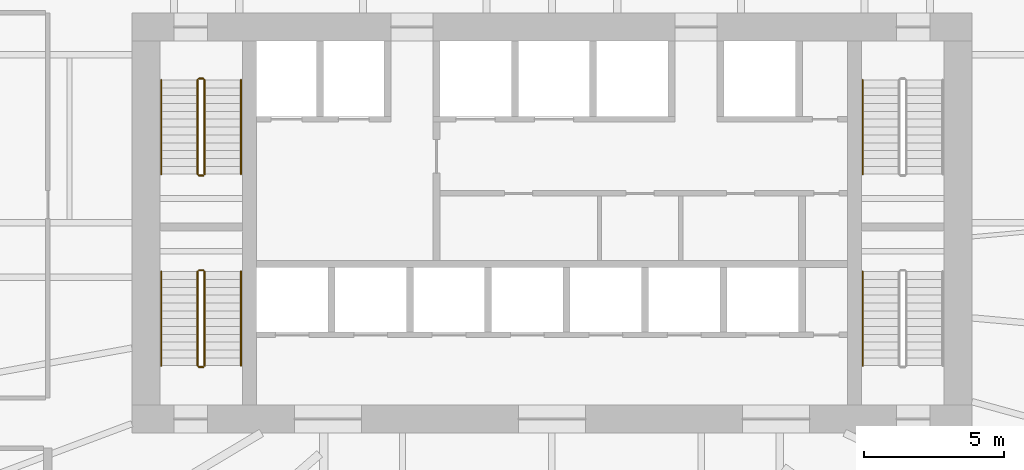
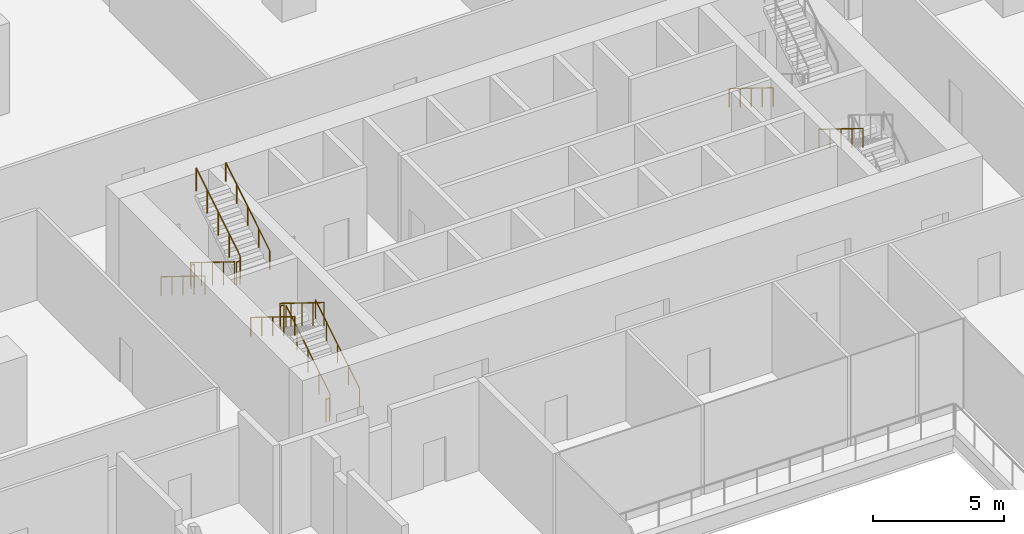
# One storey, part 30 of 33: 14 railings.
"""IFC4 building model written with IfcOpenShell, lengths in metres."""

from ifc_helpers import new_model, si_unit, direction, frame, origin, origin_2d, place, context, subcontext, project, spatial, circle, extrude, material, type_object, element, save


model = new_model("IFC4")

# Units and contexts
model_context = context("Model", 3, precision=1e-05, world=origin(), true_north=direction((0.0, 1.0)))
body_context = subcontext(model_context, "Body", "Model", "MODEL_VIEW")
ifc_project = project(units=[si_unit("LENGTHUNIT", "METRE"), si_unit("AREAUNIT", "SQUARE_METRE"), si_unit("VOLUMEUNIT", "CUBIC_METRE"), si_unit("PLANEANGLEUNIT", "RADIAN"), si_unit("MASSUNIT", "GRAM", prefix="KILO")], contexts=[model_context])

# Site, building, storey
site_placement = place(None, origin())
site = spatial("IfcSite", under=ifc_project, at=site_placement, CompositionType="ELEMENT")
building_placement = place(site_placement, origin())
building = spatial("IfcBuilding", under=site, at=building_placement, Name="Isthmus Gate Tower", CompositionType="ELEMENT")
storey_placement = place(building_placement, frame((0.0, 0.0, 22.5)))
storey = spatial("IfcBuildingStorey", under=building, at=storey_placement, Name="L03", CompositionType="ELEMENT", Elevation=22.5)

# Railings
ifc_material_1 = material(Name="Stainless steel balustrade", Category="steel")
railing_type_1 = type_object("IfcRailingType", Name="STAIR GUARD 1100", PredefinedType="GUARDRAIL", material=ifc_material_1)
railing_1_placement = place(storey_placement, frame((-12.64990234375, 12.60009765625, 0.173095703125)))
element("IfcRailing", 1, at=railing_1_placement, inside=storey, type_object=railing_type_1, Name="L03 ST1 stair guard 1", PredefinedType="GUARDRAIL", context=body_context, shape_type="SweptSolid", body=[
    extrude(circle(Radius=0.02392578125, at=origin_2d()), frame((0.0, 0.0, 1.076171875), z_axis=(0.0, -0.850623216509, 0.525775754039), x_axis=(1.0, 0.0, 0.0)), (0.0, 0.0, 1.0), 3.9501953125),
    extrude(circle(Radius=0.02099609375, at=origin_2d()), origin(), (0.0, 0.0, 1.0), 1.052001953125),
    extrude(circle(Radius=0.02099609375, at=origin_2d()), frame((0.0, -0.840087890625, 0.519287109375)), (0.0, 0.0, 1.0), 1.052001953125),
    extrude(circle(Radius=0.02099609375, at=origin_2d()), frame((0.0, -1.68017578125, 1.03857421875)), (0.0, 0.0, 1.0), 1.052001953125),
    extrude(circle(Radius=0.02099609375, at=origin_2d()), frame((0.0, -2.52001953125, 1.5576171875)), (0.0, 0.0, 1.0), 1.052001953125),
    extrude(circle(Radius=0.02099609375, at=origin_2d()), frame((0.0, -3.360107421875, 2.076904296875)), (0.0, 0.0, 1.0), 1.052001953125),
])
railing_2_placement = place(storey_placement, frame((-12.60009765625, 9.18994140625, 2.25)))
element("IfcRailing", 2, at=railing_2_placement, inside=storey, type_object=railing_type_1, Name="L03 ST1 stair guard 2", PredefinedType="GUARDRAIL", context=body_context, shape_type="SweptSolid", body=[
    extrude(circle(Radius=0.02392578125, at=origin_2d()), frame((0.0, 0.0, 1.076171875), z_axis=(1.0, 0.0, 0.0), x_axis=(0.0, 1.0, 0.0)), (0.0, 0.0, 1.0), 0.150146484375),
    extrude(circle(Radius=0.02099609375, at=origin_2d()), origin(), (0.0, 0.0, 1.0), 1.052001953125),
    extrude(circle(Radius=0.02099609375, at=origin_2d()), frame((0.150146484375, 0.0, 0.0)), (0.0, 0.0, 1.0), 1.052001953125),
])
railing_3_placement = place(storey_placement, frame((-12.39990234375, 9.239990234375, 2.423095703125)))
element("IfcRailing", 3, at=railing_3_placement, inside=storey, type_object=railing_type_1, Name="L03 ST1 stair guard 3", PredefinedType="GUARDRAIL", context=body_context, shape_type="SweptSolid", body=[
    extrude(circle(Radius=0.02392578125, at=origin_2d()), frame((0.0, 0.0, 1.076171875), z_axis=(0.0, 0.850623216509, 0.525775754039), x_axis=(-1.0, 0.0, 0.0)), (0.0, 0.0, 1.0), 3.9501953125),
    extrude(circle(Radius=0.02099609375, at=origin_2d()), origin(), (0.0, 0.0, 1.0), 1.052001953125),
    extrude(circle(Radius=0.02099609375, at=origin_2d()), frame((0.0, 0.840087890625, 0.519287109375)), (0.0, 0.0, 1.0), 1.052001953125),
    extrude(circle(Radius=0.02099609375, at=origin_2d()), frame((0.0, 1.68017578125, 1.03857421875)), (0.0, 0.0, 1.0), 1.052001953125),
    extrude(circle(Radius=0.02099609375, at=origin_2d()), frame((0.0, 2.52001953125, 1.5576171875)), (0.0, 0.0, 1.0), 1.052001953125),
    extrude(circle(Radius=0.02099609375, at=origin_2d()), frame((0.0, 3.360107421875, 2.076904296875)), (0.0, 0.0, 1.0), 1.052001953125),
])
railing_4_placement = place(storey_placement, frame((-12.60009765625, 12.64990234375, 0.0)))
element("IfcRailing", 4, at=railing_4_placement, inside=storey, type_object=railing_type_1, Name="L03 ST1 stair guard 4", PredefinedType="GUARDRAIL", context=body_context, shape_type="SweptSolid", body=[
    extrude(circle(Radius=0.02392578125, at=origin_2d()), frame((0.0, 0.0, 1.076171875), z_axis=(1.0, 0.0, 0.0), x_axis=(0.0, 1.0, 0.0)), (0.0, 0.0, 1.0), 0.150146484375),
    extrude(circle(Radius=0.02099609375, at=origin_2d()), origin(), (0.0, 0.0, 1.0), 1.052001953125),
    extrude(circle(Radius=0.02099609375, at=origin_2d()), frame((0.150146484375, 0.0, 0.0)), (0.0, 0.0, 1.0), 1.052001953125),
])
railing_5_placement = place(storey_placement, frame((-12.39990234375, 2.39990234375, 0.173095703125)))
element("IfcRailing", 5, at=railing_5_placement, inside=storey, type_object=railing_type_1, Name="L03 ST7 stair guard 1", PredefinedType="GUARDRAIL", context=body_context, shape_type="SweptSolid", body=[
    extrude(circle(Radius=0.02392578125, at=origin_2d()), frame((0.0, 0.0, 1.076171875), z_axis=(0.0, 0.850623216509, 0.525775754039), x_axis=(-1.0, 0.0, 0.0)), (0.0, 0.0, 1.0), 3.9501953125),
    extrude(circle(Radius=0.02099609375, at=origin_2d()), origin(), (0.0, 0.0, 1.0), 1.052001953125),
    extrude(circle(Radius=0.02099609375, at=origin_2d()), frame((0.0, 0.840087890625, 0.519287109375)), (0.0, 0.0, 1.0), 1.052001953125),
    extrude(circle(Radius=0.02099609375, at=origin_2d()), frame((0.0, 1.68017578125, 1.03857421875)), (0.0, 0.0, 1.0), 1.052001953125),
    extrude(circle(Radius=0.02099609375, at=origin_2d()), frame((0.0, 2.52001953125, 1.5576171875)), (0.0, 0.0, 1.0), 1.052001953125),
    extrude(circle(Radius=0.02099609375, at=origin_2d()), frame((0.0, 3.360107421875, 2.076904296875)), (0.0, 0.0, 1.0), 1.052001953125),
])
railing_6_placement = place(storey_placement, frame((-12.449951171875, 5.81005859375, 2.25)))
element("IfcRailing", 6, at=railing_6_placement, inside=storey, type_object=railing_type_1, Name="L03 ST7 stair guard 2", PredefinedType="GUARDRAIL", context=body_context, shape_type="SweptSolid", body=[
    extrude(circle(Radius=0.02392578125, at=origin_2d()), frame((0.0, 0.0, 1.076171875), z_axis=(-1.0, 0.0, 0.0), x_axis=(0.0, -1.0, 0.0)), (0.0, 0.0, 1.0), 0.150146484375),
    extrude(circle(Radius=0.02099609375, at=origin_2d()), origin(), (0.0, 0.0, 1.0), 1.052001953125),
    extrude(circle(Radius=0.02099609375, at=origin_2d()), frame((-0.150146484375, 0.0, 0.0)), (0.0, 0.0, 1.0), 1.052001953125),
])
railing_7_placement = place(storey_placement, frame((-12.64990234375, 5.760009765625, 2.423095703125)))
element("IfcRailing", 7, at=railing_7_placement, inside=storey, type_object=railing_type_1, Name="L03 ST7 stair guard 3", PredefinedType="GUARDRAIL", context=body_context, shape_type="SweptSolid", body=[
    extrude(circle(Radius=0.02392578125, at=origin_2d()), frame((0.0, 0.0, 1.076171875), z_axis=(0.0, -0.850623216509, 0.525775754039), x_axis=(1.0, 0.0, 0.0)), (0.0, 0.0, 1.0), 3.9501953125),
    extrude(circle(Radius=0.02099609375, at=origin_2d()), origin(), (0.0, 0.0, 1.0), 1.052001953125),
    extrude(circle(Radius=0.02099609375, at=origin_2d()), frame((0.0, -0.840087890625, 0.519287109375)), (0.0, 0.0, 1.0), 1.052001953125),
    extrude(circle(Radius=0.02099609375, at=origin_2d()), frame((0.0, -1.68017578125, 1.03857421875)), (0.0, 0.0, 1.0), 1.052001953125),
    extrude(circle(Radius=0.02099609375, at=origin_2d()), frame((0.0, -2.52001953125, 1.5576171875)), (0.0, 0.0, 1.0), 1.052001953125),
    extrude(circle(Radius=0.02099609375, at=origin_2d()), frame((0.0, -3.360107421875, 2.076904296875)), (0.0, 0.0, 1.0), 1.052001953125),
])
railing_8_placement = place(storey_placement, frame((-12.449951171875, 2.35009765625, 0.0)))
element("IfcRailing", 8, at=railing_8_placement, inside=storey, type_object=railing_type_1, Name="L03 ST7 stair guard 4", PredefinedType="GUARDRAIL", context=body_context, shape_type="SweptSolid", body=[
    extrude(circle(Radius=0.02392578125, at=origin_2d()), frame((0.0, 0.0, 1.076171875), z_axis=(-1.0, 0.0, 0.0), x_axis=(0.0, -1.0, 0.0)), (0.0, 0.0, 1.0), 0.150146484375),
    extrude(circle(Radius=0.02099609375, at=origin_2d()), origin(), (0.0, 0.0, 1.0), 1.052001953125),
    extrude(circle(Radius=0.02099609375, at=origin_2d()), frame((-0.150146484375, 0.0, 0.0)), (0.0, 0.0, 1.0), 1.052001953125),
])
ifc_material_2 = material(Name="Stainless steel handrail", Category="steel")
railing_type_2 = type_object("IfcRailingType", Name="STAIR HANDRAIL 900", PredefinedType="HANDRAIL", material=ifc_material_2)
railing_9_placement = place(storey_placement, frame((-13.949951171875, 12.60009765625, 0.173095703125)))
element("IfcRailing", 9, at=railing_9_placement, inside=storey, type_object=railing_type_2, Name="L03 ST1 stair handrail 1", PredefinedType="HANDRAIL", context=body_context, shape_type="SweptSolid", body=[
    extrude(circle(Radius=0.02392578125, at=origin_2d()), frame((0.0, 0.0, 0.8759765625), z_axis=(0.0, -0.850623216509, 0.525775754039), x_axis=(1.0, 0.0, 0.0)), (0.0, 0.0, 1.0), 3.9501953125),
    extrude(circle(Radius=0.02099609375, at=origin_2d()), origin(), (0.0, 0.0, 1.0), 0.851806640625),
    extrude(circle(Radius=0.02099609375, at=origin_2d()), frame((0.0, -0.840087890625, 0.519287109375)), (0.0, 0.0, 1.0), 0.851806640625),
    extrude(circle(Radius=0.02099609375, at=origin_2d()), frame((0.0, -1.68017578125, 1.03857421875)), (0.0, 0.0, 1.0), 0.851806640625),
    extrude(circle(Radius=0.02099609375, at=origin_2d()), frame((0.0, -2.52001953125, 1.5576171875)), (0.0, 0.0, 1.0), 0.851806640625),
    extrude(circle(Radius=0.02099609375, at=origin_2d()), frame((0.0, -3.360107421875, 2.076904296875)), (0.0, 0.0, 1.0), 0.851806640625),
])
railing_10_placement = place(storey_placement, frame((-11.10009765625, 9.239990234375, 2.423095703125)))
element("IfcRailing", 10, at=railing_10_placement, inside=storey, type_object=railing_type_2, Name="L03 ST1 stair handrail 2", PredefinedType="HANDRAIL", context=body_context, shape_type="SweptSolid", body=[
    extrude(circle(Radius=0.02392578125, at=origin_2d()), frame((0.0, 0.0, 0.8759765625), z_axis=(0.0, 0.850623216509, 0.525775754039), x_axis=(-1.0, 0.0, 0.0)), (0.0, 0.0, 1.0), 3.9501953125),
    extrude(circle(Radius=0.02099609375, at=origin_2d()), origin(), (0.0, 0.0, 1.0), 0.851806640625),
    extrude(circle(Radius=0.02099609375, at=origin_2d()), frame((0.0, 0.840087890625, 0.519287109375)), (0.0, 0.0, 1.0), 0.851806640625),
    extrude(circle(Radius=0.02099609375, at=origin_2d()), frame((0.0, 1.68017578125, 1.03857421875)), (0.0, 0.0, 1.0), 0.851806640625),
    extrude(circle(Radius=0.02099609375, at=origin_2d()), frame((0.0, 2.52001953125, 1.5576171875)), (0.0, 0.0, 1.0), 0.851806640625),
    extrude(circle(Radius=0.02099609375, at=origin_2d()), frame((0.0, 3.360107421875, 2.076904296875)), (0.0, 0.0, 1.0), 0.851806640625),
])
railing_11_placement = place(storey_placement, frame((11.10009765625, 12.60009765625, 0.173095703125)))
element("IfcRailing", 11, at=railing_11_placement, inside=storey, type_object=railing_type_2, Name="L03 ST2 stair handrail 1", PredefinedType="HANDRAIL", context=body_context, shape_type="SweptSolid", body=[
    extrude(circle(Radius=0.02392578125, at=origin_2d()), frame((0.0, 0.0, 0.8759765625), z_axis=(0.0, -0.850623216509, 0.525775754039), x_axis=(1.0, 0.0, 0.0)), (0.0, 0.0, 1.0), 3.9501953125),
    extrude(circle(Radius=0.02099609375, at=origin_2d()), origin(), (0.0, 0.0, 1.0), 0.851806640625),
    extrude(circle(Radius=0.02099609375, at=origin_2d()), frame((0.0, -0.840087890625, 0.519287109375)), (0.0, 0.0, 1.0), 0.851806640625),
    extrude(circle(Radius=0.02099609375, at=origin_2d()), frame((0.0, -1.68017578125, 1.03857421875)), (0.0, 0.0, 1.0), 0.851806640625),
    extrude(circle(Radius=0.02099609375, at=origin_2d()), frame((0.0, -2.52001953125, 1.5576171875)), (0.0, 0.0, 1.0), 0.851806640625),
    extrude(circle(Radius=0.02099609375, at=origin_2d()), frame((0.0, -3.360107421875, 2.076904296875)), (0.0, 0.0, 1.0), 0.851806640625),
])
railing_12_placement = place(storey_placement, frame((-11.10009765625, 2.39990234375, 0.173095703125)))
element("IfcRailing", 12, at=railing_12_placement, inside=storey, type_object=railing_type_2, Name="L03 ST7 stair handrail 1", PredefinedType="HANDRAIL", context=body_context, shape_type="SweptSolid", body=[
    extrude(circle(Radius=0.02392578125, at=origin_2d()), frame((0.0, 0.0, 0.8759765625), z_axis=(0.0, 0.850623216509, 0.525775754039), x_axis=(-1.0, 0.0, 0.0)), (0.0, 0.0, 1.0), 3.9501953125),
    extrude(circle(Radius=0.02099609375, at=origin_2d()), origin(), (0.0, 0.0, 1.0), 0.851806640625),
    extrude(circle(Radius=0.02099609375, at=origin_2d()), frame((0.0, 0.840087890625, 0.519287109375)), (0.0, 0.0, 1.0), 0.851806640625),
    extrude(circle(Radius=0.02099609375, at=origin_2d()), frame((0.0, 1.68017578125, 1.03857421875)), (0.0, 0.0, 1.0), 0.851806640625),
    extrude(circle(Radius=0.02099609375, at=origin_2d()), frame((0.0, 2.52001953125, 1.5576171875)), (0.0, 0.0, 1.0), 0.851806640625),
    extrude(circle(Radius=0.02099609375, at=origin_2d()), frame((0.0, 3.360107421875, 2.076904296875)), (0.0, 0.0, 1.0), 0.851806640625),
])
for number, where, name in (
    (13, (-13.949951171875, 5.760009765625, 2.423095703125), "L03 ST7 stair handrail 2"),
    (14, (11.10009765625, 5.760009765625, 2.423095703125), "L03 ST8 stair handrail 2"),
):
    element("IfcRailing", number, at=place(storey_placement, frame(where)), inside=storey, type_object=railing_type_2, Name=name, PredefinedType="HANDRAIL", context=body_context, shape_type="SweptSolid", body=[
        extrude(circle(Radius=0.02392578125, at=origin_2d()), frame((0.0, 0.0, 0.8759765625), z_axis=(0.0, -0.850623216509, 0.525775754039), x_axis=(1.0, 0.0, 0.0)), (0.0, 0.0, 1.0), 3.9501953125),
        extrude(circle(Radius=0.02099609375, at=origin_2d()), origin(), (0.0, 0.0, 1.0), 0.851806640625),
        extrude(circle(Radius=0.02099609375, at=origin_2d()), frame((0.0, -0.840087890625, 0.519287109375)), (0.0, 0.0, 1.0), 0.851806640625),
        extrude(circle(Radius=0.02099609375, at=origin_2d()), frame((0.0, -1.68017578125, 1.03857421875)), (0.0, 0.0, 1.0), 0.851806640625),
        extrude(circle(Radius=0.02099609375, at=origin_2d()), frame((0.0, -2.52001953125, 1.5576171875)), (0.0, 0.0, 1.0), 0.851806640625),
        extrude(circle(Radius=0.02099609375, at=origin_2d()), frame((0.0, -3.360107421875, 2.076904296875)), (0.0, 0.0, 1.0), 0.851806640625),
    ])

save(model, "model.ifc")
